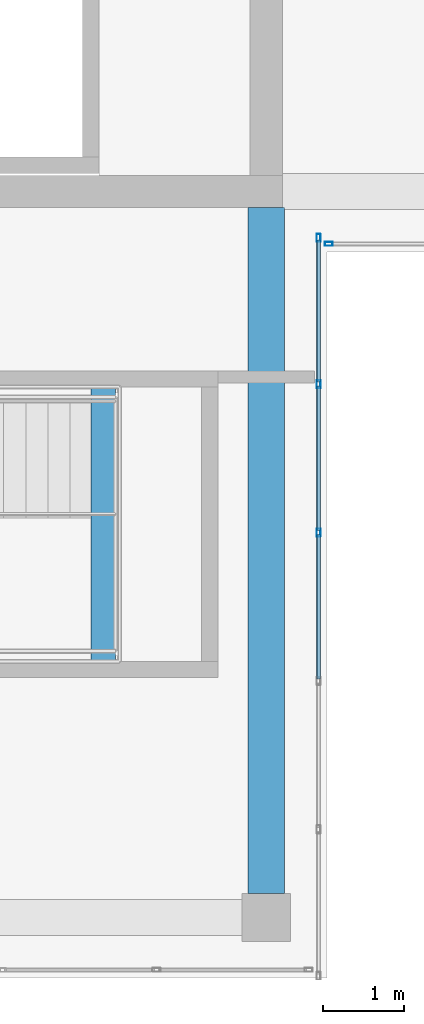
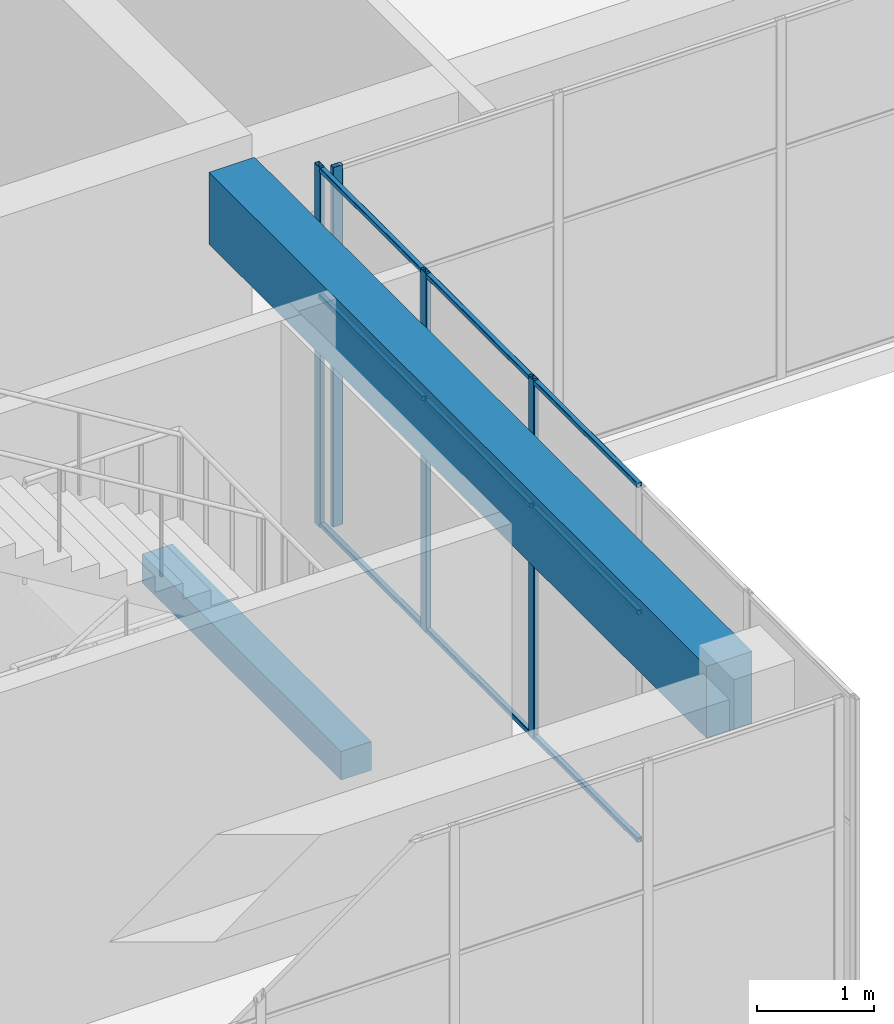
# One storey, part 9 of 35: 13 members, 2 beams, 2 elements without a shape of their own.
"""IFC4 building model written with IfcOpenShell, lengths in metres."""

import ifcopenshell
import ifcopenshell.guid

model = None  # the IFC model being written
_history = None  # IfcOwnerHistory: only IFC2X3 demands one
_inside = {}  # id of a spatial element -> (the spatial element, [elements in it])
_under = {}  # id of a project, library or spatial element -> (it, [spatial elements below it])
_declared = {}  # id of a project -> (the project, [libraries it declares])
_typed = {}  # id of a type object -> (the type object, [elements of that type])
_made_of = {}  # id of a material, layer set ... -> (it, [elements and type objects made of it])


def new_model(schema):
    """Start an empty IFC model of exactly this schema.

    Asked for "IFC4X3", IfcOpenShell would pick the latest addendum, in which some entities
    have other attributes; the version numbers below select the first issue.
    IFC2X3 requires an IfcOwnerHistory on every rooted entity: one is made here for all.
    """
    global model, _history
    if schema == "IFC4X3":
        model = ifcopenshell.file(schema_version=(4, 3, 0, 0))
    else:
        model = ifcopenshell.file(schema=schema)
    _inside.clear()
    _under.clear()
    _declared.clear()
    _typed.clear()
    _made_of.clear()
    _history = None
    if model.schema == "IFC2X3":
        org = make("IfcOrganization", Name="unknown")
        user = make(
            "IfcPersonAndOrganization",
            ThePerson=make("IfcPerson", FamilyName="unknown"),
            TheOrganization=org,
        )
        app = make(
            "IfcApplication",
            ApplicationDeveloper=org,
            Version="unknown",
            ApplicationFullName="unknown",
            ApplicationIdentifier="unknown",
        )
        _history = make(
            "IfcOwnerHistory",
            OwningUser=user,
            OwningApplication=app,
            ChangeAction="ADDED",
            CreationDate=0,
        )
    return model


def make(cls, **values):
    """One entity of the class cls with the attributes given. An attribute that is None is left unset."""
    return model.create_entity(
        cls, **{name: value for name, value in values.items() if value is not None}
    )


def rooted(cls, **values):
    """An entity with a GlobalId (a new one), such as an element, a storey or a relation."""
    return make(cls, GlobalId=ifcopenshell.guid.new(), OwnerHistory=_history, **values)


def si_unit(unit_type, name, prefix=None):
    """IfcSIUnit, for example si_unit("LENGTHUNIT", "METRE", prefix="MILLI")."""
    return make("IfcSIUnit", UnitType=unit_type, Prefix=prefix, Name=name)


def assignment(units):
    """IfcUnitAssignment: the units of a project."""
    return None if units is None else make("IfcUnitAssignment", Units=units)


def point(xyz):
    """IfcCartesianPoint."""
    return None if xyz is None else make("IfcCartesianPoint", Coordinates=xyz)


def direction(xyz):
    """IfcDirection."""
    return None if xyz is None else make("IfcDirection", DirectionRatios=xyz)


def frame(location, z_axis=None, x_axis=None):
    """IfcAxis2Placement3D, a coordinate frame: its origin and axes. An axis left out is left unset."""
    return make(
        "IfcAxis2Placement3D",
        Location=point(location),
        Axis=direction(z_axis),
        RefDirection=direction(x_axis),
    )


def frame_2d(location, x_axis=None):
    """IfcAxis2Placement2D, a coordinate frame in the plane: its origin and x axis."""
    return make(
        "IfcAxis2Placement2D", Location=point(location), RefDirection=direction(x_axis)
    )


def origin():
    """The frame at (0, 0, 0) with its axes left unset."""
    return frame((0.0, 0.0, 0.0))


def origin_2d():
    """The frame at (0, 0) in the plane with its x axis left unset."""
    return frame_2d((0.0, 0.0))


def place(relative_to, where):
    """IfcLocalPlacement: puts the frame where relative to a parent placement (None: the world)."""
    return make(
        "IfcLocalPlacement", PlacementRelTo=relative_to, RelativePlacement=where
    )


def context(
    kind, dimensions, precision=None, world=None, true_north=None, identifier=None
):
    """IfcGeometricRepresentationContext, for example the 3D "Model" context."""
    return make(
        "IfcGeometricRepresentationContext",
        ContextIdentifier=identifier,
        ContextType=kind,
        CoordinateSpaceDimension=dimensions,
        Precision=precision,
        WorldCoordinateSystem=world,
        TrueNorth=true_north,
    )


def subcontext(parent, identifier, kind, view, scale=None):
    """IfcGeometricRepresentationSubContext, for example "Body" below "Model"."""
    return make(
        "IfcGeometricRepresentationSubContext",
        ContextIdentifier=identifier,
        ContextType=kind,
        ParentContext=parent,
        TargetScale=scale,
        TargetView=view,
    )


def project(units=None, contexts=None):
    """IfcProject with its units and contexts."""
    return rooted(
        "IfcProject",
        Name="project",
        RepresentationContexts=contexts,
        UnitsInContext=assignment(units),
    )


def spatial(cls, under=None, at=None, **own):
    """A site, building, storey or space (cls), placed at a placement, below another one or the project."""
    s = rooted(cls, ObjectPlacement=at, **own)
    if under is not None:
        _under.setdefault(under.id(), (under, []))[1].append(s)
    return s


def profile(cls, at=None, kind="AREA", **sizes):
    """A parametric profile (cls). Its sizes go by their IFC names, for example OverallWidth=200.0."""
    return make(cls, ProfileType=kind, Position=at, **sizes)


def rectangle(**sizes):
    """IfcRectangleProfileDef."""
    return profile("IfcRectangleProfileDef", **sizes)


def hollow_rectangle(**sizes):
    """IfcRectangleHollowProfileDef."""
    return profile("IfcRectangleHollowProfileDef", **sizes)


def extrude(swept, where, along, depth):
    """IfcExtrudedAreaSolid: the profile swept, set in the frame where, extruded along a direction by depth."""
    return make(
        "IfcExtrudedAreaSolid",
        SweptArea=swept,
        Position=where,
        ExtrudedDirection=direction(along),
        Depth=depth,
    )


def shape(context_of_items, identifier, shape_type, items):
    """IfcShapeRepresentation: the items that make up one representation, for example the "Body"."""
    return make(
        "IfcShapeRepresentation",
        ContextOfItems=context_of_items,
        RepresentationIdentifier=identifier,
        RepresentationType=shape_type,
        Items=items,
    )


def material(Name=None, Category=None):
    """IfcMaterial."""
    return make("IfcMaterial", Name=Name, Category=Category)


def layer(
    of_material, thickness, ventilated=None, Name=None, Category=None, Priority=None
):
    """IfcMaterialLayer: one layer of a wall or slab, of a material (None: an air gap)."""
    return make(
        "IfcMaterialLayer",
        Material=of_material,
        LayerThickness=thickness,
        IsVentilated=ventilated,
        Name=Name,
        Category=Category,
        Priority=Priority,
    )


def layer_set(layers, Name=None):
    """IfcMaterialLayerSet."""
    return make("IfcMaterialLayerSet", MaterialLayers=layers, LayerSetName=Name)


def material_profile(
    of_material, cross_section, Name=None, Category=None, Priority=None
):
    """IfcMaterialProfile: a cross section and its material."""
    return make(
        "IfcMaterialProfile",
        Name=Name,
        Material=of_material,
        Profile=cross_section,
        Priority=Priority,
        Category=Category,
    )


def profile_set(profiles, Name=None, composite=None):
    """IfcMaterialProfileSet."""
    return make(
        "IfcMaterialProfileSet",
        Name=Name,
        MaterialProfiles=profiles,
        CompositeProfile=composite,
    )


def made_of(thing, what):
    """Note that an element or type object is made of a material, layer set ...; save() writes the relation."""
    if what is not None:
        _made_of.setdefault(what.id(), (what, []))[1].append(thing)
    return thing


def type_object(cls, material=None, **own):
    """A type object (cls), such as IfcWallType, which elements share."""
    return made_of(rooted(cls, **own), material)


def element(
    cls,
    number,
    at=None,
    inside=None,
    cuts=None,
    type_object=None,
    material=None,
    context=None,
    identifier="Body",
    shape_type=None,
    held_by="IfcProductDefinitionShape",
    body=None,
    shapes=None,
    **own,
):
    """One element of the class cls, such as IfcWall. Its Tag is "e" and its number.

    at: its placement. inside: the storey or other place that contains it. cuts: it is an
    opening in that element (IfcRelVoidsElement). A single representation is given by context,
    identifier, shape_type and body (its items); several are given by shapes. held_by: the class
    of the entity that holds the representations. save() writes the other relations.
    """
    e = rooted(cls, Tag="e%d" % number, ObjectPlacement=at, **own)
    if body is not None:
        shapes = [shape(context, identifier, shape_type, body)]
    if shapes is not None:
        e.Representation = make(held_by, Representations=shapes)
    if inside is not None:
        _inside.setdefault(inside.id(), (inside, []))[1].append(e)
    if cuts is not None:
        rooted(
            "IfcRelVoidsElement", RelatingBuildingElement=cuts, RelatedOpeningElement=e
        )
    if type_object is not None:
        _typed.setdefault(type_object.id(), (type_object, []))[1].append(e)
    return made_of(e, material)


def aggregate(whole, parts):
    """IfcRelAggregates: a whole, such as a stair, and the parts it consists of."""
    return rooted("IfcRelAggregates", RelatingObject=whole, RelatedObjects=parts)


def save(model, path):
    """Write the relations noted so far, then the file.

    IfcRelAggregates (storeys below a building ...), IfcRelContainedInSpatialStructure (elements
    in a storey), IfcRelDefinesByType, IfcRelAssociatesMaterial and IfcRelDeclares: one each for
    every whole, place, type object, material and project.
    """
    for whole, parts in _under.values():
        aggregate(whole, parts)
    for where, things in _inside.values():
        rooted(
            "IfcRelContainedInSpatialStructure",
            RelatedElements=things,
            RelatingStructure=where,
        )
    for kind, things in _typed.values():
        rooted("IfcRelDefinesByType", RelatedObjects=things, RelatingType=kind)
    for what, things in _made_of.values():
        rooted("IfcRelAssociatesMaterial", RelatedObjects=things, RelatingMaterial=what)
    for by, libraries in _declared.values():
        rooted("IfcRelDeclares", RelatingContext=by, RelatedDefinitions=libraries)
    model.write(path)


model = new_model("IFC4")

# Units and contexts
model_context = context("Model", 3, precision=1e-05, world=origin(), true_north=direction((0.0, 1.0)))
body_context = subcontext(model_context, "Body", "Model", "MODEL_VIEW")
ifc_project = project(units=[si_unit("LENGTHUNIT", "METRE"), si_unit("AREAUNIT", "SQUARE_METRE"), si_unit("VOLUMEUNIT", "CUBIC_METRE"), si_unit("PLANEANGLEUNIT", "RADIAN"), si_unit("MASSUNIT", "GRAM", prefix="KILO")], contexts=[model_context])

# Site, building, storey
site_placement = place(None, origin())
site = spatial("IfcSite", under=ifc_project, at=site_placement, CompositionType="ELEMENT")
building_placement = place(site_placement, origin())
building = spatial("IfcBuilding", under=site, at=building_placement, Name="Tuart Plaza Theatre", CompositionType="ELEMENT")
storey_placement = place(building_placement, frame((0.0, 0.0, 45.5)))
storey = spatial("IfcBuildingStorey", under=building, at=storey_placement, Name="L11", CompositionType="ELEMENT", Elevation=45.5)

# Beams
ifc_material_1 = material(Name="Concrete N40 (40 MPa)", Category="concrete")
ifc_material_profile_1 = material_profile(ifc_material_1, rectangle(XDim=0.300048828125, YDim=0.300048828125, at=origin_2d()), Name="BEAM 300x300 Concrete N40 (40 MPa)")
ifc_profile_set_1 = profile_set([ifc_material_profile_1], Name="Concrete N40 (40 MPa)")
beam_type_1 = type_object("IfcBeamType", Name="BEAM 300x300 Concrete N40 (40 MPa)", PredefinedType="BEAM", material=ifc_profile_set_1)
beam_1_placement = place(storey_placement, frame((138.97998046875, 59.175048828125, 1.64990234375), z_axis=(0.0, 1.0, 0.0), x_axis=(-1.0, 0.0, 0.0)))
element("IfcBeam", 1, at=beam_1_placement, inside=storey, type_object=beam_type_1, Name="RB507", PredefinedType="BEAM", context=body_context, shape_type="SweptSolid", body=[
    extrude(rectangle(XDim=0.300048828125, YDim=0.300048828125, at=origin_2d()), origin(), (0.0, 0.0, 1.0), 3.39990234375),
])
ifc_material_2 = material(Name="Concrete N40 (40 MPa)", Category="concrete")
ifc_material_profile_2 = material_profile(ifc_material_2, rectangle(XDim=0.449951171875, YDim=0.75, at=origin_2d()), Name="BEAM 450x750 Concrete N40 (40 MPa)")
ifc_profile_set_2 = profile_set([ifc_material_profile_2], Name="Concrete N40 (40 MPa)")
beam_type_2 = type_object("IfcBeamType", Name="BEAM 450x750 Concrete N40 (40 MPa)", PredefinedType="BEAM", material=ifc_profile_set_2)
beam_2_placement = place(storey_placement, frame((141.0, 56.300048828125, 3.375), z_axis=(0.0, 1.0, 0.0), x_axis=(-1.0, 0.0, 0.0)))
element("IfcBeam", 2, at=beam_2_placement, inside=storey, type_object=beam_type_2, Name="RB304", PredefinedType="BEAM", context=body_context, shape_type="SweptSolid", body=[
    extrude(rectangle(XDim=0.449951171875, YDim=0.75, at=origin_2d()), origin(), (0.0, 0.0, 1.0), 8.5),
])

# Curtain wall, members
ifc_material_3 = material(Name="Aluminium and glass", Category="aluminium")
ifc_layer = layer(ifc_material_3, 0.10009765625)
ifc_layer_set = layer_set([ifc_layer], Name="CURTAIN WALL 2000 module")
curtain_wall_type = type_object("IfcCurtainWallType", Name="CURTAIN WALL 2000 module", PredefinedType="NOTDEFINED", material=ifc_layer_set)
curtain_wall_1_placement = place(storey_placement, origin())
curtain_wall_1 = element("IfcCurtainWall", 3, at=curtain_wall_1_placement, inside=storey, type_object=curtain_wall_type, Name="CW100", PredefinedType="NOTDEFINED")
ifc_material_4 = material(Name="Aluminium 6063-T5", Category="aluminium")
ifc_material_profile_3 = material_profile(ifc_material_4, hollow_rectangle(XDim=0.050048828125, YDim=0.10009765625, WallThickness=0.00390625, InnerFilletRadius=0.00390625, OuterFilletRadius=0.008056640625, at=origin_2d()), Name="RHS 100x50x4")
ifc_profile_set_3 = profile_set([ifc_material_profile_3], Name="Aluminium 6063-T5")
member_type_1 = type_object("IfcMemberType", Name="MULLION RHS 100x50x4", PredefinedType="MULLION", material=ifc_profile_set_3)
member_1_placement = place(storey_placement, frame((141.64990234375, 60.77001953125, 0.0), z_axis=(0.0, 0.0, 1.0), x_axis=(-1.0, 0.0, 0.0)))
member_1 = element("IfcMember", 4, at=member_1_placement, type_object=member_type_1, Name="CW100 mullion 4", PredefinedType="MULLION", context=body_context, shape_type="SweptSolid", body=[
    extrude(hollow_rectangle(XDim=0.050048828125, YDim=0.10009765625, WallThickness=0.00390625, InnerFilletRadius=0.00390625, OuterFilletRadius=0.008056640625, at=origin_2d()), origin(), (0.0, 0.0, 1.0), 3.75),
])
member_2_placement = place(storey_placement, frame((141.64990234375, 62.610107421875, 0.0), z_axis=(0.0, 0.0, 1.0), x_axis=(-1.0, 0.0, 0.0)))
member_2 = element("IfcMember", 5, at=member_2_placement, type_object=member_type_1, Name="CW100 mullion 5", PredefinedType="MULLION", context=body_context, shape_type="SweptSolid", body=[
    extrude(hollow_rectangle(XDim=0.050048828125, YDim=0.10009765625, WallThickness=0.00390625, InnerFilletRadius=0.00390625, OuterFilletRadius=0.008056640625, at=origin_2d()), origin(), (0.0, 0.0, 1.0), 3.75),
])
member_3_placement = place(storey_placement, frame((141.64990234375, 64.425048828125, 0.0), z_axis=(0.0, 0.0, 1.0), x_axis=(-1.0, 0.0, 0.0)))
member_3 = element("IfcMember", 6, at=member_3_placement, type_object=member_type_1, Name="CW100 mullion 6", PredefinedType="MULLION", context=body_context, shape_type="SweptSolid", body=[
    extrude(hollow_rectangle(XDim=0.050048828125, YDim=0.10009765625, WallThickness=0.00390625, InnerFilletRadius=0.00390625, OuterFilletRadius=0.008056640625, at=origin_2d()), origin(), (0.0, 0.0, 1.0), 3.75),
])

# Curtain wall, member
curtain_wall_2_placement = place(storey_placement, origin())
curtain_wall_2 = element("IfcCurtainWall", 7, at=curtain_wall_2_placement, inside=storey, type_object=curtain_wall_type, Name="CW101", PredefinedType="NOTDEFINED")
member_4_placement = place(storey_placement, frame((141.77490234375, 64.35009765625, 0.0), z_axis=(0.0, 0.0, 1.0), x_axis=(0.0, 1.0, 0.0)))
member_4 = element("IfcMember", 8, at=member_4_placement, type_object=member_type_1, Name="CW101 mullion 1", PredefinedType="MULLION", context=body_context, shape_type="SweptSolid", body=[
    extrude(hollow_rectangle(XDim=0.050048828125, YDim=0.10009765625, WallThickness=0.00390625, InnerFilletRadius=0.00390625, OuterFilletRadius=0.008056640625, at=origin_2d()), origin(), (0.0, 0.0, 1.0), 3.75),
])
aggregate(curtain_wall_2, [member_4])

# Member
ifc_material_5 = material(Name="Aluminium 6063-T5", Category="aluminium")
ifc_material_profile_4 = material_profile(ifc_material_5, hollow_rectangle(XDim=0.050048828125, YDim=0.050048828125, WallThickness=0.00390625, InnerFilletRadius=0.00390625, OuterFilletRadius=0.008056640625, at=origin_2d()), Name="RHS 50x50x4")
ifc_profile_set_4 = profile_set([ifc_material_profile_4], Name="Aluminium 6063-T5")
member_type_2 = type_object("IfcMemberType", Name="TRANSOM RHS 50x50x4", PredefinedType="USERDEFINED", material=ifc_profile_set_4)
member_5_placement = place(storey_placement, frame((141.64990234375, 58.955078125, 0.02490234375), z_axis=(0.0, 1.0, 0.0), x_axis=(-1.0, 0.0, 0.0)))
member_5 = element("IfcMember", 9, at=member_5_placement, type_object=member_type_2, Name="CW100 transom 3.1", ObjectType="TRANSOM", PredefinedType="USERDEFINED", context=body_context, shape_type="SweptSolid", body=[
    extrude(hollow_rectangle(XDim=0.050048828125, YDim=0.050048828125, WallThickness=0.00390625, InnerFilletRadius=0.00390625, OuterFilletRadius=0.008056640625, at=origin_2d()), origin(), (0.0, 0.0, 1.0), 1.7900390625),
])

member_6_placement = place(storey_placement, frame((141.64990234375, 58.955078125, 2.39990234375), z_axis=(0.0, 1.0, 0.0), x_axis=(-1.0, 0.0, 0.0)))
member_6 = element("IfcMember", 10, at=member_6_placement, type_object=member_type_2, Name="CW100 transom 3.2", ObjectType="TRANSOM", PredefinedType="USERDEFINED", context=body_context, shape_type="SweptSolid", body=[
    extrude(hollow_rectangle(XDim=0.050048828125, YDim=0.050048828125, WallThickness=0.00390625, InnerFilletRadius=0.00390625, OuterFilletRadius=0.008056640625, at=origin_2d()), origin(), (0.0, 0.0, 1.0), 1.7900390625),
])

member_7_placement = place(storey_placement, frame((141.64990234375, 58.955078125, 3.72509765625), z_axis=(0.0, 1.0, 0.0), x_axis=(-1.0, 0.0, 0.0)))
member_7 = element("IfcMember", 11, at=member_7_placement, type_object=member_type_2, Name="CW100 transom 3.3", ObjectType="TRANSOM", PredefinedType="USERDEFINED", context=body_context, shape_type="SweptSolid", body=[
    extrude(hollow_rectangle(XDim=0.050048828125, YDim=0.050048828125, WallThickness=0.00390625, InnerFilletRadius=0.00390625, OuterFilletRadius=0.008056640625, at=origin_2d()), origin(), (0.0, 0.0, 1.0), 1.7900390625),
])

member_8_placement = place(storey_placement, frame((141.64990234375, 60.794921875, 0.02490234375), z_axis=(0.0, 1.0, 0.0), x_axis=(-1.0, 0.0, 0.0)))
member_8 = element("IfcMember", 12, at=member_8_placement, type_object=member_type_2, Name="CW100 transom 4.1", ObjectType="TRANSOM", PredefinedType="USERDEFINED", context=body_context, shape_type="SweptSolid", body=[
    extrude(hollow_rectangle(XDim=0.050048828125, YDim=0.050048828125, WallThickness=0.00390625, InnerFilletRadius=0.00390625, OuterFilletRadius=0.008056640625, at=origin_2d()), origin(), (0.0, 0.0, 1.0), 1.7900390625),
])

member_9_placement = place(storey_placement, frame((141.64990234375, 60.794921875, 2.39990234375), z_axis=(0.0, 1.0, 0.0), x_axis=(-1.0, 0.0, 0.0)))
member_9 = element("IfcMember", 13, at=member_9_placement, type_object=member_type_2, Name="CW100 transom 4.2", ObjectType="TRANSOM", PredefinedType="USERDEFINED", context=body_context, shape_type="SweptSolid", body=[
    extrude(hollow_rectangle(XDim=0.050048828125, YDim=0.050048828125, WallThickness=0.00390625, InnerFilletRadius=0.00390625, OuterFilletRadius=0.008056640625, at=origin_2d()), origin(), (0.0, 0.0, 1.0), 1.7900390625),
])

member_10_placement = place(storey_placement, frame((141.64990234375, 60.794921875, 3.72509765625), z_axis=(0.0, 1.0, 0.0), x_axis=(-1.0, 0.0, 0.0)))
member_10 = element("IfcMember", 14, at=member_10_placement, type_object=member_type_2, Name="CW100 transom 4.3", ObjectType="TRANSOM", PredefinedType="USERDEFINED", context=body_context, shape_type="SweptSolid", body=[
    extrude(hollow_rectangle(XDim=0.050048828125, YDim=0.050048828125, WallThickness=0.00390625, InnerFilletRadius=0.00390625, OuterFilletRadius=0.008056640625, at=origin_2d()), origin(), (0.0, 0.0, 1.0), 1.7900390625),
])

member_11_placement = place(storey_placement, frame((141.64990234375, 62.635009765625, 0.02490234375), z_axis=(0.0, 1.0, 0.0), x_axis=(-1.0, 0.0, 0.0)))
member_11 = element("IfcMember", 15, at=member_11_placement, type_object=member_type_2, Name="CW100 transom 5.1", ObjectType="TRANSOM", PredefinedType="USERDEFINED", context=body_context, shape_type="SweptSolid", body=[
    extrude(hollow_rectangle(XDim=0.050048828125, YDim=0.050048828125, WallThickness=0.00390625, InnerFilletRadius=0.00390625, OuterFilletRadius=0.008056640625, at=origin_2d()), origin(), (0.0, 0.0, 1.0), 1.764892578125),
])

member_12_placement = place(storey_placement, frame((141.64990234375, 62.635009765625, 2.39990234375), z_axis=(0.0, 1.0, 0.0), x_axis=(-1.0, 0.0, 0.0)))
member_12 = element("IfcMember", 16, at=member_12_placement, type_object=member_type_2, Name="CW100 transom 5.2", ObjectType="TRANSOM", PredefinedType="USERDEFINED", context=body_context, shape_type="SweptSolid", body=[
    extrude(hollow_rectangle(XDim=0.050048828125, YDim=0.050048828125, WallThickness=0.00390625, InnerFilletRadius=0.00390625, OuterFilletRadius=0.008056640625, at=origin_2d()), origin(), (0.0, 0.0, 1.0), 1.764892578125),
])

member_13_placement = place(storey_placement, frame((141.64990234375, 62.635009765625, 3.72509765625), z_axis=(0.0, 1.0, 0.0), x_axis=(-1.0, 0.0, 0.0)))
member_13 = element("IfcMember", 17, at=member_13_placement, type_object=member_type_2, Name="CW100 transom 5.3", ObjectType="TRANSOM", PredefinedType="USERDEFINED", context=body_context, shape_type="SweptSolid", body=[
    extrude(hollow_rectangle(XDim=0.050048828125, YDim=0.050048828125, WallThickness=0.00390625, InnerFilletRadius=0.00390625, OuterFilletRadius=0.008056640625, at=origin_2d()), origin(), (0.0, 0.0, 1.0), 1.764892578125),
])

aggregate(curtain_wall_1, [member_1, member_2, member_3, member_5, member_6, member_7, member_8, member_9, member_10, member_11, member_12, member_13])

save(model, "model.ifc")
